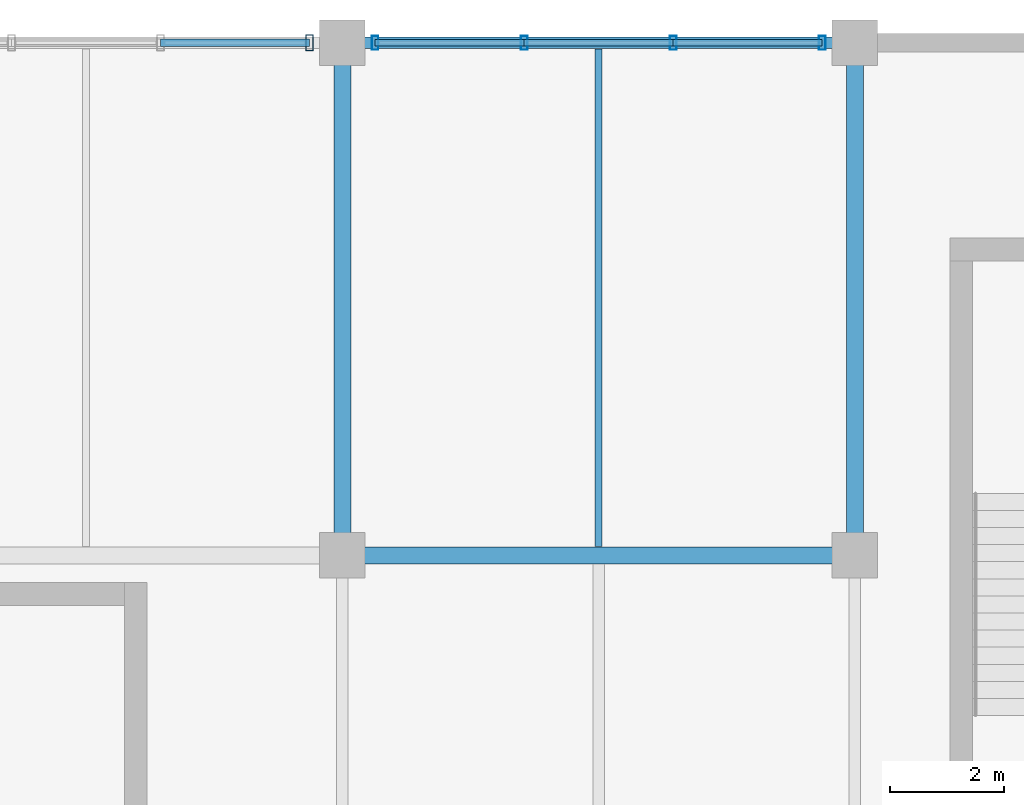
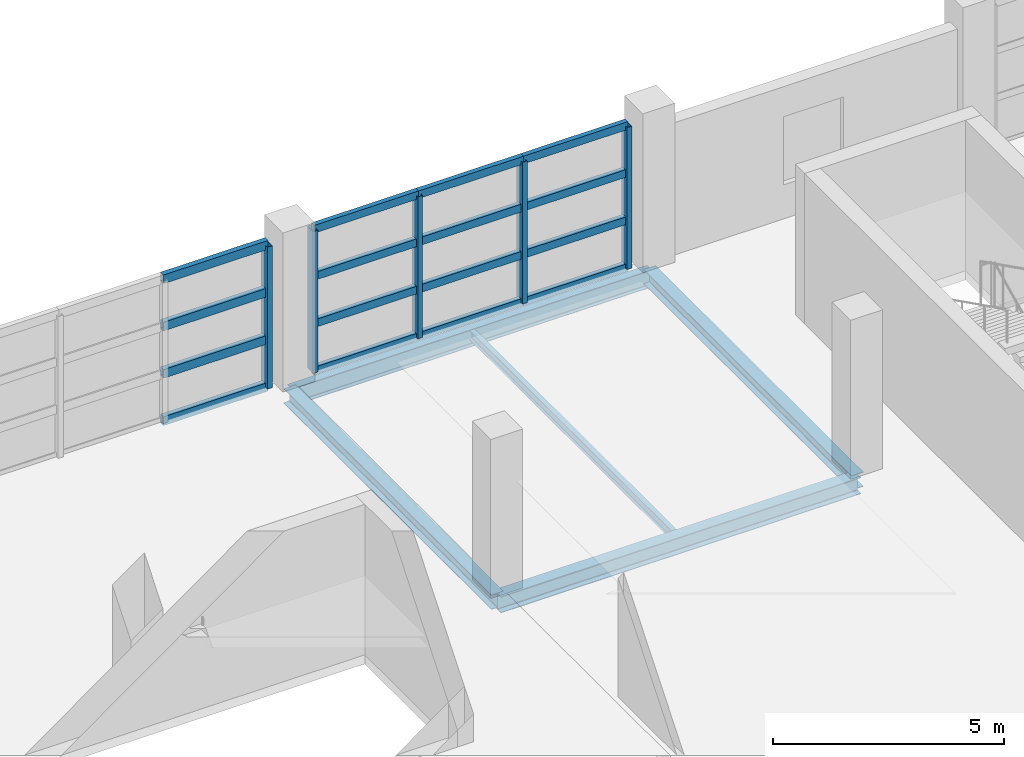
# One storey, part 95 of 136: 21 members, 5 beams, 2 elements without a shape of their own.
"""IFC4 building model written with IfcOpenShell, lengths in metres."""

from ifc_helpers import new_model, si_unit, direction, frame, origin, origin_2d, place, context, subcontext, project, spatial, hollow_rectangle, i_section, extrude, material, material_profile, profile_set, type_object, element, aggregate, save


model = new_model("IFC4")

# Units and contexts
model_context = context("Model", 3, precision=1e-05, world=origin(), true_north=direction((0.0, 1.0)))
body_context = subcontext(model_context, "Body", "Model", "MODEL_VIEW")
ifc_project = project(units=[si_unit("LENGTHUNIT", "METRE"), si_unit("AREAUNIT", "SQUARE_METRE"), si_unit("VOLUMEUNIT", "CUBIC_METRE"), si_unit("PLANEANGLEUNIT", "RADIAN"), si_unit("MASSUNIT", "GRAM", prefix="KILO")], contexts=[model_context])

# Site, building, storey
site_placement = place(None, origin())
site = spatial("IfcSite", under=ifc_project, at=site_placement, CompositionType="ELEMENT")
building_placement = place(site_placement, origin())
building = spatial("IfcBuilding", under=site, at=building_placement, Name="Chuanluo Vaults Station", CompositionType="ELEMENT")
storey_placement = place(building_placement, frame((0.0, 0.0, 6.60009765625)))
storey = spatial("IfcBuildingStorey", under=building, at=storey_placement, Name="L01", CompositionType="ELEMENT", Elevation=6.60009765625)

# Beams
ifc_material_1 = material(Name="Steel Q355C", Category="steel")
ifc_material_profile_1 = material_profile(ifc_material_1, i_section(OverallWidth=0.300048828125, OverallDepth=0.389892578125, WebThickness=0.010009765625, FlangeThickness=0.01611328125, FilletRadius=0.02001953125, at=origin_2d()))
ifc_profile_set_1 = profile_set([ifc_material_profile_1], Name="Steel Q355C")
beam_type_1 = type_object("IfcBeamType", Name="BM-GRD-400", PredefinedType="BEAM", material=ifc_profile_set_1)
for number, where, z_axis, x_axis, name in (
    (1, (163.0, 117.0, -0.43505859375), (0.0, 1.0, 0.0), (-1.0, 0.0, 0.0), "Floor girder BM:GY:L01:0499"),
    (2, (172.0, 117.0, -0.43505859375), (0.0, 1.0, 0.0), (-1.0, 0.0, 0.0), "Floor girder BM:GY:L01:0511"),
):
    element("IfcBeam", number, at=place(storey_placement, frame(where, z_axis=z_axis, x_axis=x_axis)), inside=storey, type_object=beam_type_1, Name=name, PredefinedType="BEAM", context=body_context, shape_type="SweptSolid", body=[
        extrude(i_section(OverallWidth=0.300048828125, OverallDepth=0.389892578125, WebThickness=0.010009765625, FlangeThickness=0.01611328125, FilletRadius=0.02001953125, at=origin_2d()), origin(), (0.0, 0.0, 1.0), 9.0),
    ])
ifc_material_2 = material(Name="Steel Q355C", Category="steel")
ifc_material_profile_2 = material_profile(ifc_material_2, i_section(OverallWidth=0.300048828125, OverallDepth=0.43994140625, WebThickness=0.010986328125, FlangeThickness=0.01806640625, FilletRadius=0.02001953125, at=origin_2d()))
ifc_profile_set_2 = profile_set([ifc_material_profile_2], Name="Steel Q355C")
beam_type_2 = type_object("IfcBeamType", Name="BM-GRD-450", PredefinedType="USERDEFINED", material=ifc_profile_set_2)
beam_1_placement = place(storey_placement, frame((163.0, 117.0, -0.460205078125), z_axis=(1.0, 0.0, 0.0), x_axis=(0.0, 1.0, 0.0)))
element("IfcBeam", 3, at=beam_1_placement, inside=storey, type_object=beam_type_2, Name="Floor girder BM:GX:L01:0389", ObjectType="GIRDER", PredefinedType="USERDEFINED", context=body_context, shape_type="SweptSolid", body=[
    extrude(i_section(OverallWidth=0.300048828125, OverallDepth=0.43994140625, WebThickness=0.010986328125, FlangeThickness=0.01806640625, FilletRadius=0.02001953125, at=origin_2d()), origin(), (0.0, 0.0, 1.0), 9.0),
])
ifc_material_3 = material(Name="Steel Q355C", Category="steel")
ifc_material_profile_3 = material_profile(ifc_material_3, i_section(OverallWidth=0.125, OverallDepth=0.25, WebThickness=0.006103515625, FlangeThickness=0.009033203125, FilletRadius=0.011962890625, at=origin_2d()))
ifc_profile_set_3 = profile_set([ifc_material_profile_3], Name="Steel Q355C")
beam_type_3 = type_object("IfcBeamType", Name="BM-SEC-250", PredefinedType="JOIST", material=ifc_profile_set_3)
beam_2_placement = place(storey_placement, frame((167.5, 117.155029296875, -0.364990234375), z_axis=(0.0, 1.0, 0.0), x_axis=(-1.0, 0.0, 0.0)))
element("IfcBeam", 4, at=beam_2_placement, inside=storey, type_object=beam_type_3, Name="Composite secondary joist 0186", PredefinedType="JOIST", context=body_context, shape_type="SweptSolid", body=[
    extrude(i_section(OverallWidth=0.125, OverallDepth=0.25, WebThickness=0.006103515625, FlangeThickness=0.009033203125, FilletRadius=0.011962890625, at=origin_2d()), origin(), (0.0, 0.0, 1.0), 8.737548828125),
])
ifc_material_4 = material(Name="Steel Q355C", Category="steel")
ifc_material_profile_4 = material_profile(ifc_material_4, i_section(OverallWidth=0.205078125, OverallDepth=0.4599609375, WebThickness=0.009033203125, FlangeThickness=0.013916015625, FilletRadius=0.01611328125, at=origin_2d()))
ifc_profile_set_4 = profile_set([ifc_material_profile_4], Name="Steel Q355C")
beam_type_4 = type_object("IfcBeamType", Name="BM-SPN-450", PredefinedType="SPANDREL", material=ifc_profile_set_4)
beam_3_placement = place(storey_placement, frame((163.0, 126.0, -0.47021484375), z_axis=(1.0, 0.0, 0.0), x_axis=(0.0, 1.0, 0.0)))
element("IfcBeam", 5, at=beam_3_placement, inside=storey, type_object=beam_type_4, Name="Floor girder BM:GX:L01:0403", PredefinedType="SPANDREL", context=body_context, shape_type="SweptSolid", body=[
    extrude(i_section(OverallWidth=0.205078125, OverallDepth=0.4599609375, WebThickness=0.009033203125, FlangeThickness=0.013916015625, FilletRadius=0.01611328125, at=origin_2d()), origin(), (0.0, 0.0, 1.0), 9.0),
])

# Curtain wall, members
ifc_material_5 = material(Name="Anodised aluminium 6063-T6", Category="aluminium")
curtain_wall_type_1 = type_object("IfcCurtainWallType", Name="CW-SYS-23", PredefinedType="NOTDEFINED", material=ifc_material_5)
curtain_wall_1_placement = place(storey_placement, origin())
curtain_wall_1 = element("IfcCurtainWall", 6, at=curtain_wall_1_placement, inside=storey, type_object=curtain_wall_type_1, Name="Operations L01 facade CW", PredefinedType="NOTDEFINED")
ifc_material_6 = material(Name="Anodised aluminium 6063-T6", Category="aluminium")
ifc_material_profile_5 = material_profile(ifc_material_6, hollow_rectangle(XDim=0.1201171875, YDim=0.25, WallThickness=0.006103515625, at=origin_2d()))
ifc_profile_set_5 = profile_set([ifc_material_profile_5], Name="Anodised aluminium 6063-T6")
member_type_1 = type_object("IfcMemberType", Name="CWM-160", PredefinedType="MULLION", material=ifc_profile_set_5)
member_1_placement = place(storey_placement, frame((163.574951171875, 126.0, 0.0), z_axis=(0.0, 0.0, 1.0), x_axis=(1.0, 0.0, 0.0)))
member_1 = element("IfcMember", 7, at=member_1_placement, type_object=member_type_1, Name="Operations L01 facade CW mullion 1", PredefinedType="MULLION", context=body_context, shape_type="SweptSolid", body=[
    extrude(hollow_rectangle(XDim=0.1201171875, YDim=0.25, WallThickness=0.006103515625, at=origin_2d()), origin(), (0.0, 0.0, 1.0), 3.75),
])
member_2_placement = place(storey_placement, frame((166.191650390625, 126.0, 0.0), z_axis=(0.0, 0.0, 1.0), x_axis=(1.0, 0.0, 0.0)))
member_2 = element("IfcMember", 8, at=member_2_placement, type_object=member_type_1, Name="Operations L01 facade CW mullion 2", PredefinedType="MULLION", context=body_context, shape_type="SweptSolid", body=[
    extrude(hollow_rectangle(XDim=0.1201171875, YDim=0.25, WallThickness=0.006103515625, at=origin_2d()), origin(), (0.0, 0.0, 1.0), 3.75),
])
member_3_placement = place(storey_placement, frame((168.808349609375, 126.0, 0.0), z_axis=(0.0, 0.0, 1.0), x_axis=(1.0, 0.0, 0.0)))
member_3 = element("IfcMember", 9, at=member_3_placement, type_object=member_type_1, Name="Operations L01 facade CW mullion 3", PredefinedType="MULLION", context=body_context, shape_type="SweptSolid", body=[
    extrude(hollow_rectangle(XDim=0.1201171875, YDim=0.25, WallThickness=0.006103515625, at=origin_2d()), origin(), (0.0, 0.0, 1.0), 3.75),
])
member_4_placement = place(storey_placement, frame((171.425048828125, 126.0, 0.0), z_axis=(0.0, 0.0, 1.0), x_axis=(1.0, 0.0, 0.0)))
member_4 = element("IfcMember", 10, at=member_4_placement, type_object=member_type_1, Name="Operations L01 facade CW mullion 4", PredefinedType="MULLION", context=body_context, shape_type="SweptSolid", body=[
    extrude(hollow_rectangle(XDim=0.1201171875, YDim=0.25, WallThickness=0.006103515625, at=origin_2d()), origin(), (0.0, 0.0, 1.0), 3.75),
])

# Curtain wall, member
ifc_material_7 = material(Name="Anodised aluminium 6063-T6", Category="aluminium")
curtain_wall_type_2 = type_object("IfcCurtainWallType", Name="CW-SYS-22", PredefinedType="NOTDEFINED", material=ifc_material_7)
curtain_wall_2_placement = place(storey_placement, origin())
curtain_wall_2 = element("IfcCurtainWall", 11, at=curtain_wall_2_placement, inside=storey, type_object=curtain_wall_type_2, Name="Operations L01 facade CW", PredefinedType="NOTDEFINED")
ifc_material_8 = material(Name="Anodised aluminium 6063-T6", Category="aluminium")
ifc_material_profile_6 = material_profile(ifc_material_8, hollow_rectangle(XDim=0.1298828125, YDim=0.280029296875, WallThickness=0.007080078125, at=origin_2d()))
ifc_profile_set_6 = profile_set([ifc_material_profile_6], Name="Anodised aluminium 6063-T6")
member_type_2 = type_object("IfcMemberType", Name="CWM-180", PredefinedType="MULLION", material=ifc_profile_set_6)
member_5_placement = place(storey_placement, frame((162.425048828125, 126.0, 0.0), z_axis=(0.0, 0.0, 1.0), x_axis=(1.0, 0.0, 0.0)))
member_5 = element("IfcMember", 12, at=member_5_placement, type_object=member_type_2, Name="Operations L01 facade CW mullion 4", PredefinedType="MULLION", context=body_context, shape_type="SweptSolid", body=[
    extrude(hollow_rectangle(XDim=0.1298828125, YDim=0.280029296875, WallThickness=0.007080078125, at=origin_2d()), origin(), (0.0, 0.0, 1.0), 3.75),
])

# Member
ifc_material_9 = material(Name="Anodised aluminium 6063-T6", Category="aluminium")
ifc_material_profile_7 = material_profile(ifc_material_9, hollow_rectangle(XDim=0.1201171875, YDim=0.205078125, WallThickness=0.006103515625, at=origin_2d()))
ifc_profile_set_7 = profile_set([ifc_material_profile_7], Name="Anodised aluminium 6063-T6")
member_type_3 = type_object("IfcMemberType", Name="CWT-130", PredefinedType="USERDEFINED", material=ifc_profile_set_7)
member_6_placement = place(storey_placement, frame((163.574951171875, 126.0, 0.0), z_axis=(1.0, 0.0, 0.0), x_axis=(0.0, 1.0, 0.0)))
member_6 = element("IfcMember", 13, at=member_6_placement, type_object=member_type_3, Name="Operations L01 facade CW transom 1.1", ObjectType="TRANSOM", PredefinedType="USERDEFINED", context=body_context, shape_type="SweptSolid", body=[
    extrude(hollow_rectangle(XDim=0.1201171875, YDim=0.205078125, WallThickness=0.006103515625, at=origin_2d()), origin(), (0.0, 0.0, 1.0), 2.61669921875),
])

member_7_placement = place(storey_placement, frame((163.574951171875, 126.0, 1.25), z_axis=(1.0, 0.0, 0.0), x_axis=(0.0, 1.0, 0.0)))
member_7 = element("IfcMember", 14, at=member_7_placement, type_object=member_type_3, Name="Operations L01 facade CW transom 1.2", ObjectType="TRANSOM", PredefinedType="USERDEFINED", context=body_context, shape_type="SweptSolid", body=[
    extrude(hollow_rectangle(XDim=0.1201171875, YDim=0.205078125, WallThickness=0.006103515625, at=origin_2d()), origin(), (0.0, 0.0, 1.0), 2.61669921875),
])

member_8_placement = place(storey_placement, frame((163.574951171875, 126.0, 2.5), z_axis=(1.0, 0.0, 0.0), x_axis=(0.0, 1.0, 0.0)))
member_8 = element("IfcMember", 15, at=member_8_placement, type_object=member_type_3, Name="Operations L01 facade CW transom 1.3", ObjectType="TRANSOM", PredefinedType="USERDEFINED", context=body_context, shape_type="SweptSolid", body=[
    extrude(hollow_rectangle(XDim=0.1201171875, YDim=0.205078125, WallThickness=0.006103515625, at=origin_2d()), origin(), (0.0, 0.0, 1.0), 2.61669921875),
])

member_9_placement = place(storey_placement, frame((163.574951171875, 126.0, 3.75), z_axis=(1.0, 0.0, 0.0), x_axis=(0.0, 1.0, 0.0)))
member_9 = element("IfcMember", 16, at=member_9_placement, type_object=member_type_3, Name="Operations L01 facade CW transom 1.4", ObjectType="TRANSOM", PredefinedType="USERDEFINED", context=body_context, shape_type="SweptSolid", body=[
    extrude(hollow_rectangle(XDim=0.1201171875, YDim=0.205078125, WallThickness=0.006103515625, at=origin_2d()), origin(), (0.0, 0.0, 1.0), 2.61669921875),
])

member_10_placement = place(storey_placement, frame((166.191650390625, 126.0, 0.0), z_axis=(1.0, 0.0, 0.0), x_axis=(0.0, 1.0, 0.0)))
member_10 = element("IfcMember", 17, at=member_10_placement, type_object=member_type_3, Name="Operations L01 facade CW transom 2.1", ObjectType="TRANSOM", PredefinedType="USERDEFINED", context=body_context, shape_type="SweptSolid", body=[
    extrude(hollow_rectangle(XDim=0.1201171875, YDim=0.205078125, WallThickness=0.006103515625, at=origin_2d()), origin(), (0.0, 0.0, 1.0), 2.61669921875),
])

member_11_placement = place(storey_placement, frame((166.191650390625, 126.0, 1.25), z_axis=(1.0, 0.0, 0.0), x_axis=(0.0, 1.0, 0.0)))
member_11 = element("IfcMember", 18, at=member_11_placement, type_object=member_type_3, Name="Operations L01 facade CW transom 2.2", ObjectType="TRANSOM", PredefinedType="USERDEFINED", context=body_context, shape_type="SweptSolid", body=[
    extrude(hollow_rectangle(XDim=0.1201171875, YDim=0.205078125, WallThickness=0.006103515625, at=origin_2d()), origin(), (0.0, 0.0, 1.0), 2.61669921875),
])

member_12_placement = place(storey_placement, frame((166.191650390625, 126.0, 2.5), z_axis=(1.0, 0.0, 0.0), x_axis=(0.0, 1.0, 0.0)))
member_12 = element("IfcMember", 19, at=member_12_placement, type_object=member_type_3, Name="Operations L01 facade CW transom 2.3", ObjectType="TRANSOM", PredefinedType="USERDEFINED", context=body_context, shape_type="SweptSolid", body=[
    extrude(hollow_rectangle(XDim=0.1201171875, YDim=0.205078125, WallThickness=0.006103515625, at=origin_2d()), origin(), (0.0, 0.0, 1.0), 2.61669921875),
])

member_13_placement = place(storey_placement, frame((166.191650390625, 126.0, 3.75), z_axis=(1.0, 0.0, 0.0), x_axis=(0.0, 1.0, 0.0)))
member_13 = element("IfcMember", 20, at=member_13_placement, type_object=member_type_3, Name="Operations L01 facade CW transom 2.4", ObjectType="TRANSOM", PredefinedType="USERDEFINED", context=body_context, shape_type="SweptSolid", body=[
    extrude(hollow_rectangle(XDim=0.1201171875, YDim=0.205078125, WallThickness=0.006103515625, at=origin_2d()), origin(), (0.0, 0.0, 1.0), 2.61669921875),
])

member_14_placement = place(storey_placement, frame((168.808349609375, 126.0, 0.0), z_axis=(1.0, 0.0, 0.0), x_axis=(0.0, 1.0, 0.0)))
member_14 = element("IfcMember", 21, at=member_14_placement, type_object=member_type_3, Name="Operations L01 facade CW transom 3.1", ObjectType="TRANSOM", PredefinedType="USERDEFINED", context=body_context, shape_type="SweptSolid", body=[
    extrude(hollow_rectangle(XDim=0.1201171875, YDim=0.205078125, WallThickness=0.006103515625, at=origin_2d()), origin(), (0.0, 0.0, 1.0), 2.61669921875),
])

member_15_placement = place(storey_placement, frame((168.808349609375, 126.0, 1.25), z_axis=(1.0, 0.0, 0.0), x_axis=(0.0, 1.0, 0.0)))
member_15 = element("IfcMember", 22, at=member_15_placement, type_object=member_type_3, Name="Operations L01 facade CW transom 3.2", ObjectType="TRANSOM", PredefinedType="USERDEFINED", context=body_context, shape_type="SweptSolid", body=[
    extrude(hollow_rectangle(XDim=0.1201171875, YDim=0.205078125, WallThickness=0.006103515625, at=origin_2d()), origin(), (0.0, 0.0, 1.0), 2.61669921875),
])

member_16_placement = place(storey_placement, frame((168.808349609375, 126.0, 2.5), z_axis=(1.0, 0.0, 0.0), x_axis=(0.0, 1.0, 0.0)))
member_16 = element("IfcMember", 23, at=member_16_placement, type_object=member_type_3, Name="Operations L01 facade CW transom 3.3", ObjectType="TRANSOM", PredefinedType="USERDEFINED", context=body_context, shape_type="SweptSolid", body=[
    extrude(hollow_rectangle(XDim=0.1201171875, YDim=0.205078125, WallThickness=0.006103515625, at=origin_2d()), origin(), (0.0, 0.0, 1.0), 2.61669921875),
])

member_17_placement = place(storey_placement, frame((168.808349609375, 126.0, 3.75), z_axis=(1.0, 0.0, 0.0), x_axis=(0.0, 1.0, 0.0)))
member_17 = element("IfcMember", 24, at=member_17_placement, type_object=member_type_3, Name="Operations L01 facade CW transom 3.4", ObjectType="TRANSOM", PredefinedType="USERDEFINED", context=body_context, shape_type="SweptSolid", body=[
    extrude(hollow_rectangle(XDim=0.1201171875, YDim=0.205078125, WallThickness=0.006103515625, at=origin_2d()), origin(), (0.0, 0.0, 1.0), 2.61669921875),
])

aggregate(curtain_wall_1, [member_1, member_2, member_3, member_4, member_6, member_7, member_8, member_9, member_10, member_11, member_12, member_13, member_14, member_15, member_16, member_17])

ifc_material_10 = material(Name="Anodised aluminium 6063-T6", Category="aluminium")
ifc_material_profile_8 = material_profile(ifc_material_10, hollow_rectangle(XDim=0.1298828125, YDim=0.22998046875, WallThickness=0.006103515625, at=origin_2d()))
ifc_profile_set_8 = profile_set([ifc_material_profile_8], Name="Anodised aluminium 6063-T6")
member_type_4 = type_object("IfcMemberType", Name="CWT-150", PredefinedType="USERDEFINED", material=ifc_profile_set_8)
member_18_placement = place(storey_placement, frame((159.808349609375, 126.0, 0.0), z_axis=(1.0, 0.0, 0.0), x_axis=(0.0, 1.0, 0.0)))
member_18 = element("IfcMember", 25, at=member_18_placement, type_object=member_type_4, Name="Operations L01 facade CW transom 3.1", ObjectType="TRANSOM", PredefinedType="USERDEFINED", context=body_context, shape_type="SweptSolid", body=[
    extrude(hollow_rectangle(XDim=0.1298828125, YDim=0.22998046875, WallThickness=0.006103515625, at=origin_2d()), origin(), (0.0, 0.0, 1.0), 2.61669921875),
])

member_19_placement = place(storey_placement, frame((159.808349609375, 126.0, 1.25), z_axis=(1.0, 0.0, 0.0), x_axis=(0.0, 1.0, 0.0)))
member_19 = element("IfcMember", 26, at=member_19_placement, type_object=member_type_4, Name="Operations L01 facade CW transom 3.2", ObjectType="TRANSOM", PredefinedType="USERDEFINED", context=body_context, shape_type="SweptSolid", body=[
    extrude(hollow_rectangle(XDim=0.1298828125, YDim=0.22998046875, WallThickness=0.006103515625, at=origin_2d()), origin(), (0.0, 0.0, 1.0), 2.61669921875),
])

member_20_placement = place(storey_placement, frame((159.808349609375, 126.0, 2.5), z_axis=(1.0, 0.0, 0.0), x_axis=(0.0, 1.0, 0.0)))
member_20 = element("IfcMember", 27, at=member_20_placement, type_object=member_type_4, Name="Operations L01 facade CW transom 3.3", ObjectType="TRANSOM", PredefinedType="USERDEFINED", context=body_context, shape_type="SweptSolid", body=[
    extrude(hollow_rectangle(XDim=0.1298828125, YDim=0.22998046875, WallThickness=0.006103515625, at=origin_2d()), origin(), (0.0, 0.0, 1.0), 2.61669921875),
])

member_21_placement = place(storey_placement, frame((159.808349609375, 126.0, 3.75), z_axis=(1.0, 0.0, 0.0), x_axis=(0.0, 1.0, 0.0)))
member_21 = element("IfcMember", 28, at=member_21_placement, type_object=member_type_4, Name="Operations L01 facade CW transom 3.4", ObjectType="TRANSOM", PredefinedType="USERDEFINED", context=body_context, shape_type="SweptSolid", body=[
    extrude(hollow_rectangle(XDim=0.1298828125, YDim=0.22998046875, WallThickness=0.006103515625, at=origin_2d()), origin(), (0.0, 0.0, 1.0), 2.61669921875),
])

aggregate(curtain_wall_2, [member_5, member_18, member_19, member_20, member_21])

save(model, "model.ifc")
